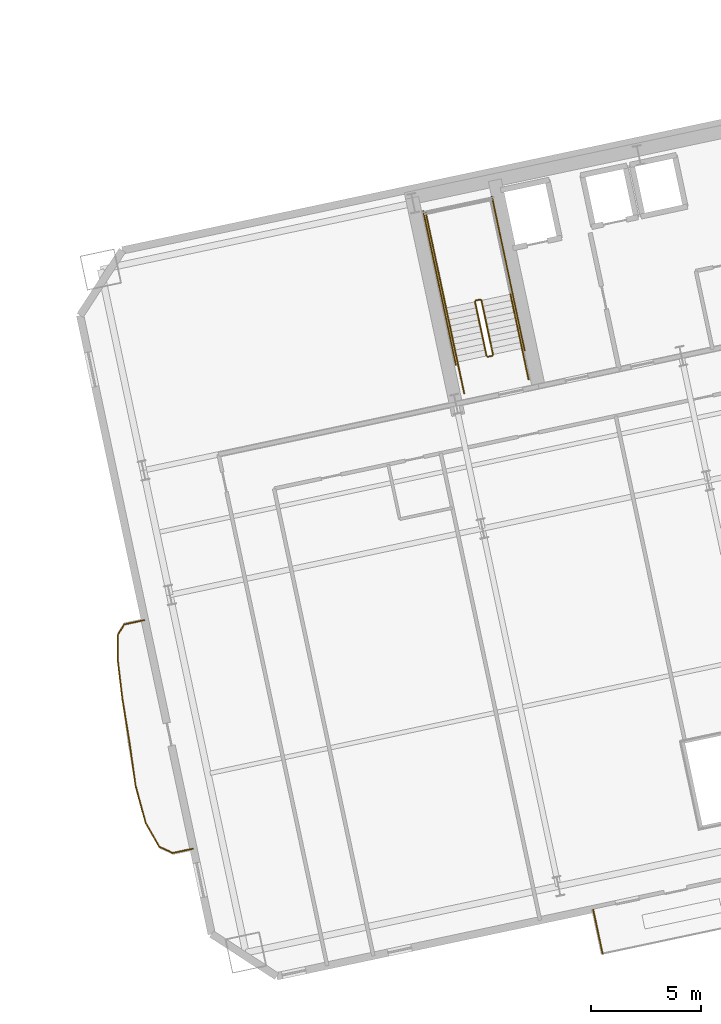
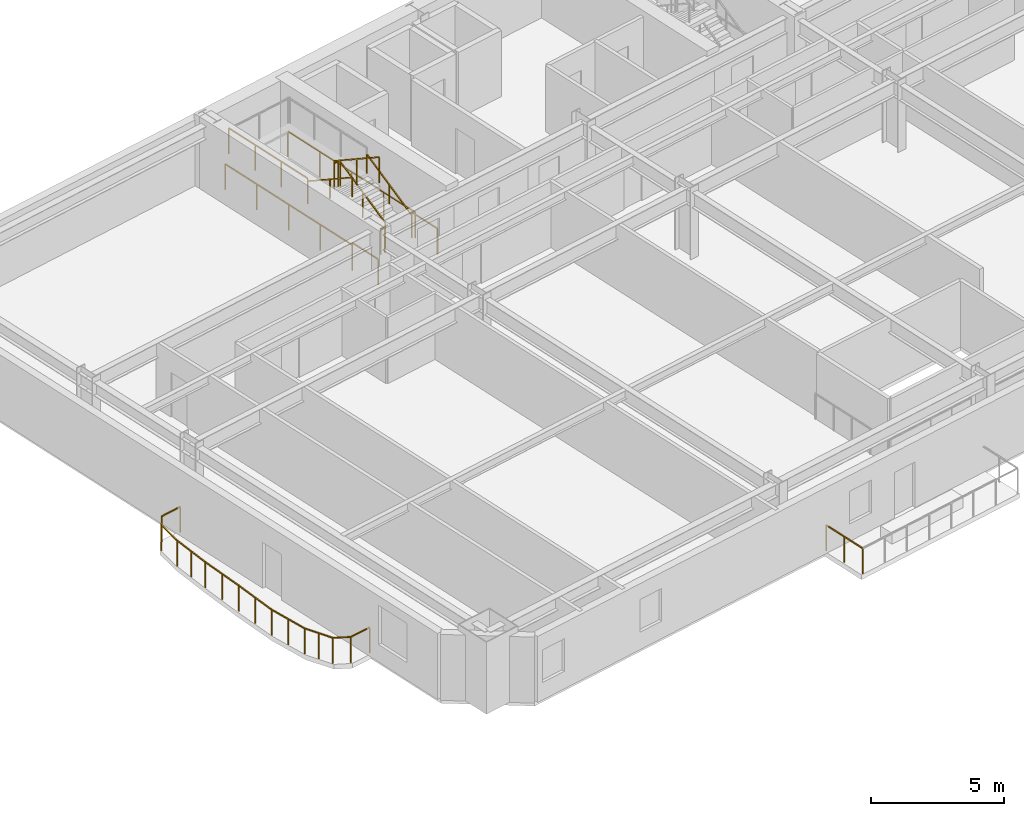
# One storey, part 15 of 17: 22 railings.
"""IFC4 building model written with IfcOpenShell, lengths in metres."""

from ifc_helpers import new_model, si_unit, direction, frame, origin, origin_2d, place, context, subcontext, project, spatial, rectangle, extrude, material, type_object, element, save


model = new_model("IFC4")

# Units and contexts
model_context = context("Model", 3, precision=1e-05, world=origin(), true_north=direction((0.0, 1.0)))
body_context = subcontext(model_context, "Body", "Model", "MODEL_VIEW")
ifc_project = project(units=[si_unit("LENGTHUNIT", "METRE"), si_unit("AREAUNIT", "SQUARE_METRE"), si_unit("VOLUMEUNIT", "CUBIC_METRE"), si_unit("PLANEANGLEUNIT", "RADIAN"), si_unit("MASSUNIT", "GRAM", prefix="KILO")], contexts=[model_context])

# Site, building, storey
site_placement = place(None, origin())
site = spatial("IfcSite", under=ifc_project, at=site_placement, CompositionType="ELEMENT")
building_placement = place(site_placement, origin())
building = spatial("IfcBuilding", under=site, at=building_placement, Name="Haevon Station Towers", CompositionType="ELEMENT")
storey_placement = place(building_placement, frame((0.0, 0.0, 33.89990234375)))
storey = spatial("IfcBuildingStorey", under=building, at=storey_placement, Name="L07", CompositionType="ELEMENT", Elevation=33.89990234375)

# Railings
ifc_material = material(Name="Steel S355", Category="steel")
railing_type_1 = type_object("IfcRailingType", Name="GRD-EXT1200", PredefinedType="GUARDRAIL", material=ifc_material)
railing_1_placement = place(storey_placement, frame((84.5654296875, 27.599853515625, 0.0)))
element("IfcRailing", 1, at=railing_1_placement, inside=storey, type_object=railing_type_1, Name="L07 Perimeter Guardrail 1", PredefinedType="GUARDRAIL", context=body_context, shape_type="SweptSolid", body=[
    extrude(rectangle(XDim=0.048095703125, YDim=0.048095703125, at=origin_2d()), frame((0.0, 0.0, 1.17578125), z_axis=(-0.977684892297, -0.210076774952, 0.0), x_axis=(0.210076774952, -0.977684892297, 0.0)), (0.0, 0.0, 1.0), 0.943603515625),
    extrude(rectangle(XDim=0.0419921875, YDim=0.0419921875, at=origin_2d()), origin(), (0.0, 0.0, 1.0), 1.15185546875),
    extrude(rectangle(XDim=0.0419921875, YDim=0.0419921875, at=origin_2d()), frame((-0.922607421875, -0.1982421875, 0.0)), (0.0, 0.0, 1.0), 1.15185546875),
])
railing_2_placement = place(storey_placement, frame((83.642822265625, 27.401611328125, 0.0)))
element("IfcRailing", 2, at=railing_2_placement, inside=storey, type_object=railing_type_1, Name="L07 Perimeter Guardrail 2", PredefinedType="GUARDRAIL", context=body_context, shape_type="SweptSolid", body=[
    extrude(rectangle(XDim=0.048095703125, YDim=0.048095703125, at=origin_2d()), frame((0.0, 0.0, 1.17578125), z_axis=(-0.516725234501, -0.856151290386, 0.0), x_axis=(0.856151290386, -0.516725234501, 0.0)), (0.0, 0.0, 1.0), 0.563232421875),
    extrude(rectangle(XDim=0.0419921875, YDim=0.0419921875, at=origin_2d()), origin(), (0.0, 0.0, 1.0), 1.15185546875),
    extrude(rectangle(XDim=0.0419921875, YDim=0.0419921875, at=origin_2d()), frame((-0.291015625, -0.482177734375, 0.0)), (0.0, 0.0, 1.0), 1.15185546875),
])
railing_3_placement = place(storey_placement, frame((83.351806640625, 26.91943359375, 0.0)))
element("IfcRailing", 3, at=railing_3_placement, inside=storey, type_object=railing_type_1, Name="L07 Perimeter Guardrail 3", PredefinedType="GUARDRAIL", context=body_context, shape_type="SweptSolid", body=[
    extrude(rectangle(XDim=0.048095703125, YDim=0.048095703125, at=origin_2d()), frame((0.0, 0.0, 1.17578125), z_axis=(0.006538478947, -0.999978623918, 0.0), x_axis=(0.999978623918, 0.006538478947, 0.0)), (0.0, 0.0, 1.0), 1.19482421875),
    extrude(rectangle(XDim=0.0419921875, YDim=0.0419921875, at=origin_2d()), origin(), (0.0, 0.0, 1.0), 1.15185546875),
    extrude(rectangle(XDim=0.0419921875, YDim=0.0419921875, at=origin_2d()), frame((0.0078125, -1.19482421875, 0.0)), (0.0, 0.0, 1.0), 1.15185546875),
])
railing_4_placement = place(storey_placement, frame((83.359619140625, 25.724609375, 0.0)))
element("IfcRailing", 4, at=railing_4_placement, inside=storey, type_object=railing_type_1, Name="L07 Perimeter Guardrail 4", PredefinedType="GUARDRAIL", context=body_context, shape_type="SweptSolid", body=[
    extrude(rectangle(XDim=0.048095703125, YDim=0.048095703125, at=origin_2d()), frame((0.0, 0.0, 1.17578125), z_axis=(0.11880003649, -0.992918199717, 0.0), x_axis=(0.992918199717, 0.11880003649, 0.0)), (0.0, 0.0, 1.0), 1.757080078125),
    extrude(rectangle(XDim=0.0419921875, YDim=0.0419921875, at=origin_2d()), origin(), (0.0, 0.0, 1.0), 1.15185546875),
    extrude(rectangle(XDim=0.0419921875, YDim=0.0419921875, at=origin_2d()), frame((0.1044921875, -0.872314453125, 0.0)), (0.0, 0.0, 1.0), 1.15185546875),
    extrude(rectangle(XDim=0.0419921875, YDim=0.0419921875, at=origin_2d()), frame((0.208740234375, -1.74462890625, 0.0)), (0.0, 0.0, 1.0), 1.15185546875),
])
railing_5_placement = place(storey_placement, frame((83.568359375, 23.97998046875, 0.0)))
element("IfcRailing", 5, at=railing_5_placement, inside=storey, type_object=railing_type_1, Name="L07 Perimeter Guardrail 5", PredefinedType="GUARDRAIL", context=body_context, shape_type="SweptSolid", body=[
    extrude(rectangle(XDim=0.048095703125, YDim=0.048095703125, at=origin_2d()), frame((0.0, 0.0, 1.17578125), z_axis=(0.161256217351, -0.986912575847, 0.0), x_axis=(0.986912575847, 0.161256217351, 0.0)), (0.0, 0.0, 1.0), 1.990966796875),
    extrude(rectangle(XDim=0.0419921875, YDim=0.0419921875, at=origin_2d()), origin(), (0.0, 0.0, 1.0), 1.15185546875),
    extrude(rectangle(XDim=0.0419921875, YDim=0.0419921875, at=origin_2d()), frame((0.16064453125, -0.982421875, 0.0)), (0.0, 0.0, 1.0), 1.15185546875),
    extrude(rectangle(XDim=0.0419921875, YDim=0.0419921875, at=origin_2d()), frame((0.321044921875, -1.96484375, 0.0)), (0.0, 0.0, 1.0), 1.15185546875),
])
railing_6_placement = place(storey_placement, frame((83.889404296875, 22.01513671875, 0.0)))
element("IfcRailing", 6, at=railing_6_placement, inside=storey, type_object=railing_type_1, Name="L07 Perimeter Guardrail 6", PredefinedType="GUARDRAIL", context=body_context, shape_type="SweptSolid", body=[
    extrude(rectangle(XDim=0.048095703125, YDim=0.048095703125, at=origin_2d()), frame((0.0, 0.0, 1.17578125), z_axis=(0.138938126286, -0.990301063851, 0.0), x_axis=(0.990301063851, 0.138938126286, 0.0)), (0.0, 0.0, 1.0), 1.99609375),
    extrude(rectangle(XDim=0.0419921875, YDim=0.0419921875, at=origin_2d()), origin(), (0.0, 0.0, 1.0), 1.15185546875),
    extrude(rectangle(XDim=0.0419921875, YDim=0.0419921875, at=origin_2d()), frame((0.138671875, -0.98828125, 0.0)), (0.0, 0.0, 1.0), 1.15185546875),
    extrude(rectangle(XDim=0.0419921875, YDim=0.0419921875, at=origin_2d()), frame((0.27734375, -1.976806640625, 0.0)), (0.0, 0.0, 1.0), 1.15185546875),
])
railing_7_placement = place(storey_placement, frame((84.166748046875, 20.038330078125, 0.0)))
element("IfcRailing", 7, at=railing_7_placement, inside=storey, type_object=railing_type_1, Name="L07 Perimeter Guardrail 7", PredefinedType="GUARDRAIL", context=body_context, shape_type="SweptSolid", body=[
    extrude(rectangle(XDim=0.048095703125, YDim=0.048095703125, at=origin_2d()), frame((0.0, 0.0, 1.17578125), z_axis=(0.264061044495, -0.964505969282, 0.0), x_axis=(0.964505969282, 0.264061044495, 0.0)), (0.0, 0.0, 1.0), 1.751220703125),
    extrude(rectangle(XDim=0.0419921875, YDim=0.0419921875, at=origin_2d()), origin(), (0.0, 0.0, 1.0), 1.15185546875),
    extrude(rectangle(XDim=0.0419921875, YDim=0.0419921875, at=origin_2d()), frame((0.231201171875, -0.844482421875, 0.0)), (0.0, 0.0, 1.0), 1.15185546875),
    extrude(rectangle(XDim=0.0419921875, YDim=0.0419921875, at=origin_2d()), frame((0.46240234375, -1.68896484375, 0.0)), (0.0, 0.0, 1.0), 1.15185546875),
])
railing_8_placement = place(storey_placement, frame((84.629150390625, 18.349365234375, 0.0)))
element("IfcRailing", 8, at=railing_8_placement, inside=storey, type_object=railing_type_1, Name="L07 Perimeter Guardrail 8", PredefinedType="GUARDRAIL", context=body_context, shape_type="SweptSolid", body=[
    extrude(rectangle(XDim=0.048095703125, YDim=0.048095703125, at=origin_2d()), frame((0.0, 0.0, 1.17578125), z_axis=(0.494703008184, -0.869062100022, 0.0), x_axis=(0.869062100022, 0.494703008184, 0.0)), (0.0, 0.0, 1.0), 1.227294921875),
    extrude(rectangle(XDim=0.0419921875, YDim=0.0419921875, at=origin_2d()), origin(), (0.0, 0.0, 1.0), 1.15185546875),
    extrude(rectangle(XDim=0.0419921875, YDim=0.0419921875, at=origin_2d()), frame((0.3037109375, -0.533203125, 0.0)), (0.0, 0.0, 1.0), 1.15185546875),
    extrude(rectangle(XDim=0.0419921875, YDim=0.0419921875, at=origin_2d()), frame((0.607177734375, -1.066650390625, 0.0)), (0.0, 0.0, 1.0), 1.15185546875),
])
railing_9_placement = place(storey_placement, frame((85.236328125, 17.28271484375, 0.0)))
element("IfcRailing", 9, at=railing_9_placement, inside=storey, type_object=railing_type_1, Name="L07 Perimeter Guardrail 9", PredefinedType="GUARDRAIL", context=body_context, shape_type="SweptSolid", body=[
    extrude(rectangle(XDim=0.048095703125, YDim=0.048095703125, at=origin_2d()), frame((0.0, 0.0, 1.17578125), z_axis=(0.906119182037, -0.423022491062, 0.0), x_axis=(0.423022491062, 0.906119182037, 0.0)), (0.0, 0.0, 1.0), 0.682861328125),
    extrude(rectangle(XDim=0.0419921875, YDim=0.0419921875, at=origin_2d()), origin(), (0.0, 0.0, 1.0), 1.15185546875),
    extrude(rectangle(XDim=0.0419921875, YDim=0.0419921875, at=origin_2d()), frame((0.61865234375, -0.288818359375, 0.0)), (0.0, 0.0, 1.0), 1.15185546875),
])
railing_10_placement = place(storey_placement, frame((85.85498046875, 16.993896484375, 0.0)))
element("IfcRailing", 10, at=railing_10_placement, inside=storey, type_object=railing_type_1, Name="L07 Perimeter Guardrail 10", PredefinedType="GUARDRAIL", context=body_context, shape_type="SweptSolid", body=[
    extrude(rectangle(XDim=0.048095703125, YDim=0.048095703125, at=origin_2d()), frame((0.0, 0.0, 1.17578125), z_axis=(0.978571736022, 0.205906186062, 0.0), x_axis=(-0.205906186062, 0.978571736022, 0.0)), (0.0, 0.0, 1.0), 0.94384765625),
    extrude(rectangle(XDim=0.0419921875, YDim=0.0419921875, at=origin_2d()), origin(), (0.0, 0.0, 1.0), 1.15185546875),
    extrude(rectangle(XDim=0.0419921875, YDim=0.0419921875, at=origin_2d()), frame((0.923583984375, 0.1943359375, 0.0)), (0.0, 0.0, 1.0), 1.15185546875),
])
railing_11_placement = place(storey_placement, frame((105.00439453125, 14.413818359375, 0.0)))
element("IfcRailing", 11, at=railing_11_placement, inside=storey, type_object=railing_type_1, Name="L07 Perimeter Guardrail 3", PredefinedType="GUARDRAIL", context=body_context, shape_type="SweptSolid", body=[
    extrude(rectangle(XDim=0.048095703125, YDim=0.048095703125, at=origin_2d()), frame((0.0, 0.0, 1.17578125), z_axis=(0.207848806692, -0.978160965055, 0.0), x_axis=(0.978160965055, 0.207848806692, 0.0)), (0.0, 0.0, 1.0), 2.054443359375),
    extrude(rectangle(XDim=0.0419921875, YDim=0.0419921875, at=origin_2d()), origin(), (0.0, 0.0, 1.0), 1.15185546875),
    extrude(rectangle(XDim=0.0419921875, YDim=0.0419921875, at=origin_2d()), frame((0.21337890625, -1.0048828125, 0.0)), (0.0, 0.0, 1.0), 1.15185546875),
    extrude(rectangle(XDim=0.0419921875, YDim=0.0419921875, at=origin_2d()), frame((0.427001953125, -2.009521484375, 0.0)), (0.0, 0.0, 1.0), 1.15185546875),
])
railing_type_2 = type_object("IfcRailingType", Name="GRD-STR1200", PredefinedType="GUARDRAIL", material=ifc_material)
railing_12_placement = place(storey_placement, frame((100.44140625, 39.69287109375, 0.1650390625)))
element("IfcRailing", 12, at=railing_12_placement, inside=storey, type_object=railing_type_2, Name="L07 ST3 Stair Guard 1", PredefinedType="GUARDRAIL", context=body_context, shape_type="SweptSolid", body=[
    extrude(rectangle(XDim=0.048095703125, YDim=0.048095703125, at=origin_2d()), frame((0.0, 0.0, 1.17578125), z_axis=(-0.179121265225, 0.842687928106, 0.507732831485), x_axis=(-0.978147030254, -0.207914374695, 0.0)), (0.0, 0.0, 1.0), 2.925048828125),
    extrude(rectangle(XDim=0.0419921875, YDim=0.0419921875, at=origin_2d()), origin(), (0.0, 0.0, 1.0), 1.15185546875),
    extrude(rectangle(XDim=0.0419921875, YDim=0.0419921875, at=origin_2d()), frame((-0.261962890625, 1.232421875, 0.74267578125)), (0.0, 0.0, 1.0), 1.15185546875),
    extrude(rectangle(XDim=0.0419921875, YDim=0.0419921875, at=origin_2d()), frame((-0.52392578125, 2.46484375, 1.485107421875)), (0.0, 0.0, 1.0), 1.15185546875),
])
railing_13_placement = place(storey_placement, frame((99.858154296875, 42.1962890625, 1.650146484375)))
element("IfcRailing", 13, at=railing_13_placement, inside=storey, type_object=railing_type_2, Name="L07 ST3 Stair Guard 2", PredefinedType="GUARDRAIL", context=body_context, shape_type="SweptSolid", body=[
    extrude(rectangle(XDim=0.048095703125, YDim=0.048095703125, at=origin_2d()), frame((0.0, 0.0, 1.17578125), z_axis=(-0.977962931203, -0.208778603291, 0.0), x_axis=(0.208778603291, -0.977962931203, 0.0)), (0.0, 0.0, 1.0), 0.199951171875),
    extrude(rectangle(XDim=0.0419921875, YDim=0.0419921875, at=origin_2d()), origin(), (0.0, 0.0, 1.0), 1.15185546875),
    extrude(rectangle(XDim=0.0419921875, YDim=0.0419921875, at=origin_2d()), frame((-0.195556640625, -0.041748046875, 0.0)), (0.0, 0.0, 1.0), 1.15185546875),
])
railing_14_placement = place(storey_placement, frame((98.303466796875, 41.814697265625, 1.650146484375)))
element("IfcRailing", 14, at=railing_14_placement, inside=storey, type_object=railing_type_2, Name="L07 ST3 Stair Guard 4", PredefinedType="GUARDRAIL", context=body_context, shape_type="SweptSolid", body=[
    extrude(rectangle(XDim=0.048095703125, YDim=0.048095703125, at=origin_2d()), frame((0.0, 0.0, 1.17578125), z_axis=(-0.207876551949, 0.978155069071, 0.0), x_axis=(-0.978155069071, -0.207876551949, 0.0)), (0.0, 0.0, 1.0), 4.429931640625),
    extrude(rectangle(XDim=0.0419921875, YDim=0.0419921875, at=origin_2d()), origin(), (0.0, 0.0, 1.0), 1.15185546875),
    extrude(rectangle(XDim=0.0419921875, YDim=0.0419921875, at=origin_2d()), frame((-0.306884765625, 1.4443359375, 0.0)), (0.0, 0.0, 1.0), 1.15185546875),
    extrude(rectangle(XDim=0.0419921875, YDim=0.0419921875, at=origin_2d()), frame((-0.614013671875, 2.888916015625, 0.0)), (0.0, 0.0, 1.0), 1.15185546875),
    extrude(rectangle(XDim=0.0419921875, YDim=0.0419921875, at=origin_2d()), frame((-0.9208984375, 4.333251953125, 0.0)), (0.0, 0.0, 1.0), 1.15185546875),
])
railing_15_placement = place(storey_placement, frame((99.6240234375, 42.09521484375, 1.815185546875)))
element("IfcRailing", 15, at=railing_15_placement, inside=storey, type_object=railing_type_2, Name="L07 ST3 Stair Guard 6", PredefinedType="GUARDRAIL", context=body_context, shape_type="SweptSolid", body=[
    extrude(rectangle(XDim=0.048095703125, YDim=0.048095703125, at=origin_2d()), frame((0.0, 0.0, 1.17578125), z_axis=(0.179128856099, -0.842723639875, 0.507670877349), x_axis=(0.978147030254, 0.207914374695, 0.0)), (0.0, 0.0, 1.0), 2.9248046875),
    extrude(rectangle(XDim=0.0419921875, YDim=0.0419921875, at=origin_2d()), origin(), (0.0, 0.0, 1.0), 1.15185546875),
    extrude(rectangle(XDim=0.0419921875, YDim=0.0419921875, at=origin_2d()), frame((0.261962890625, -1.232421875, 0.742431640625)), (0.0, 0.0, 1.0), 1.15185546875),
    extrude(rectangle(XDim=0.0419921875, YDim=0.0419921875, at=origin_2d()), frame((0.52392578125, -2.46484375, 1.48486328125)), (0.0, 0.0, 1.0), 1.15185546875),
])
railing_16_placement = place(storey_placement, frame((100.40283203125, 39.633544921875, 0.0)))
element("IfcRailing", 16, at=railing_16_placement, inside=storey, type_object=railing_type_2, Name="L07 ST3 Stair Guard 7", PredefinedType="GUARDRAIL", context=body_context, shape_type="SweptSolid", body=[
    extrude(rectangle(XDim=0.048095703125, YDim=0.048095703125, at=origin_2d()), frame((0.0, 0.0, 1.17578125), z_axis=(-0.977962931203, -0.208778603291, 0.0), x_axis=(0.208778603291, -0.977962931203, 0.0)), (0.0, 0.0, 1.0), 0.199951171875),
    extrude(rectangle(XDim=0.0419921875, YDim=0.0419921875, at=origin_2d()), origin(), (0.0, 0.0, 1.0), 1.15185546875),
    extrude(rectangle(XDim=0.0419921875, YDim=0.0419921875, at=origin_2d()), frame((-0.195556640625, -0.041748046875, 0.0)), (0.0, 0.0, 1.0), 1.15185546875),
])
for number, where, name in (
    (17, (102.0634765625, 38.55517578125, 0.0), "L07 ST3 Stair Guard 8"),
    (18, (99.12890625, 37.931396484375, 0.0), "L07 ST3 Stair Guard 9"),
):
    element("IfcRailing", number, at=place(storey_placement, frame(where)), inside=storey, type_object=railing_type_2, Name=name, PredefinedType="GUARDRAIL", context=body_context, shape_type="SweptSolid", body=[
        extrude(rectangle(XDim=0.048095703125, YDim=0.048095703125, at=origin_2d()), frame((0.0, 0.0, 1.17578125), z_axis=(-0.207953405961, 0.978138732977, 0.0), x_axis=(-0.978138732977, -0.207953405961, 0.0)), (0.0, 0.0, 1.0), 1.449951171875),
        extrude(rectangle(XDim=0.0419921875, YDim=0.0419921875, at=origin_2d()), origin(), (0.0, 0.0, 1.0), 1.15185546875),
        extrude(rectangle(XDim=0.0419921875, YDim=0.0419921875, at=origin_2d()), frame((-0.301513671875, 1.418212890625, 0.0)), (0.0, 0.0, 1.0), 1.15185546875),
    ])
railing_17_placement = place(storey_placement, frame((101.88037109375, 39.896484375, 0.0)))
element("IfcRailing", 19, at=railing_17_placement, inside=storey, type_object=railing_type_2, Name="L07 ST3 Stair Guard 10", PredefinedType="GUARDRAIL", context=body_context, shape_type="SweptSolid", body=[
    extrude(rectangle(XDim=0.048095703125, YDim=0.048095703125, at=origin_2d()), frame((0.0, 0.0, 1.17578125), z_axis=(-0.207882442208, 0.978153817261, 0.0), x_axis=(-0.978153817261, -0.207882442208, 0.0)), (0.0, 0.0, 1.0), 7.14990234375),
    extrude(rectangle(XDim=0.0419921875, YDim=0.0419921875, at=origin_2d()), origin(), (0.0, 0.0, 1.0), 1.15185546875),
    extrude(rectangle(XDim=0.0419921875, YDim=0.0419921875, at=origin_2d()), frame((-0.37158203125, 1.74853515625, 0.0)), (0.0, 0.0, 1.0), 1.15185546875),
    extrude(rectangle(XDim=0.0419921875, YDim=0.0419921875, at=origin_2d()), frame((-0.7431640625, 3.496826171875, 0.0)), (0.0, 0.0, 1.0), 1.15185546875),
    extrude(rectangle(XDim=0.0419921875, YDim=0.0419921875, at=origin_2d()), frame((-1.11474609375, 5.2451171875, 0.0)), (0.0, 0.0, 1.0), 1.15185546875),
    extrude(rectangle(XDim=0.0419921875, YDim=0.0419921875, at=origin_2d()), frame((-1.486328125, 6.99365234375, 0.0)), (0.0, 0.0, 1.0), 1.15185546875),
])
railing_18_placement = place(storey_placement, frame((98.75048828125, 39.231201171875, 0.0)))
element("IfcRailing", 20, at=railing_18_placement, inside=storey, type_object=railing_type_2, Name="L07 ST3 Stair Guard 11", PredefinedType="GUARDRAIL", context=body_context, shape_type="SweptSolid", body=[
    extrude(rectangle(XDim=0.048095703125, YDim=0.048095703125, at=origin_2d()), frame((0.0, 0.0, 1.17578125), z_axis=(-0.207915112487, 0.978146873429, 0.0), x_axis=(-0.978146873429, -0.207915112487, 0.0)), (0.0, 0.0, 1.0), 7.14990234375),
    extrude(rectangle(XDim=0.0419921875, YDim=0.0419921875, at=origin_2d()), origin(), (0.0, 0.0, 1.0), 1.15185546875),
    extrude(rectangle(XDim=0.0419921875, YDim=0.0419921875, at=origin_2d()), frame((-0.37158203125, 1.74853515625, 0.0)), (0.0, 0.0, 1.0), 1.15185546875),
    extrude(rectangle(XDim=0.0419921875, YDim=0.0419921875, at=origin_2d()), frame((-0.7431640625, 3.496826171875, 0.0)), (0.0, 0.0, 1.0), 1.15185546875),
    extrude(rectangle(XDim=0.0419921875, YDim=0.0419921875, at=origin_2d()), frame((-1.114990234375, 5.2451171875, 0.0)), (0.0, 0.0, 1.0), 1.15185546875),
    extrude(rectangle(XDim=0.0419921875, YDim=0.0419921875, at=origin_2d()), frame((-1.486572265625, 6.99365234375, 0.0)), (0.0, 0.0, 1.0), 1.15185546875),
])
railing_type_3 = type_object("IfcRailingType", Name="HND-STR900", PredefinedType="HANDRAIL", material=ifc_material)
railing_19_placement = place(storey_placement, frame((101.761962890625, 39.973388671875, 0.1650390625)))
element("IfcRailing", 21, at=railing_19_placement, inside=storey, type_object=railing_type_3, Name="L07 ST3 Stair Handrail 1", PredefinedType="HANDRAIL", context=body_context, shape_type="SweptSolid", body=[
    extrude(rectangle(XDim=0.048095703125, YDim=0.048095703125, at=origin_2d()), frame((0.0, 0.0, 0.8759765625), z_axis=(-0.179108667068, 0.842712120868, 0.50769712105), x_axis=(-0.978151217824, -0.207894673017, 0.0)), (0.0, 0.0, 1.0), 2.92529296875),
    extrude(rectangle(XDim=0.0419921875, YDim=0.0419921875, at=origin_2d()), origin(), (0.0, 0.0, 1.0), 0.851806640625),
    extrude(rectangle(XDim=0.0419921875, YDim=0.0419921875, at=origin_2d()), frame((-0.261962890625, 1.232421875, 0.74267578125)), (0.0, 0.0, 1.0), 0.851806640625),
    extrude(rectangle(XDim=0.0419921875, YDim=0.0419921875, at=origin_2d()), frame((-0.52392578125, 2.465087890625, 1.485107421875)), (0.0, 0.0, 1.0), 0.851806640625),
])
railing_20_placement = place(storey_placement, frame((98.303466796875, 41.814697265625, 1.815185546875)))
element("IfcRailing", 22, at=railing_20_placement, inside=storey, type_object=railing_type_3, Name="L07 ST3 Stair Handrail 2", PredefinedType="HANDRAIL", context=body_context, shape_type="SweptSolid", body=[
    extrude(rectangle(XDim=0.048095703125, YDim=0.048095703125, at=origin_2d()), frame((0.0, 0.0, 0.8759765625), z_axis=(0.179116256339, -0.842747828638, 0.507635168246), x_axis=(0.978151217824, 0.207894673017, 0.0)), (0.0, 0.0, 1.0), 2.925048828125),
    extrude(rectangle(XDim=0.0419921875, YDim=0.0419921875, at=origin_2d()), origin(), (0.0, 0.0, 1.0), 0.851806640625),
    extrude(rectangle(XDim=0.0419921875, YDim=0.0419921875, at=origin_2d()), frame((0.261962890625, -1.232421875, 0.742431640625)), (0.0, 0.0, 1.0), 0.851806640625),
    extrude(rectangle(XDim=0.0419921875, YDim=0.0419921875, at=origin_2d()), frame((0.52392578125, -2.465087890625, 1.48486328125)), (0.0, 0.0, 1.0), 0.851806640625),
])

save(model, "model.ifc")
